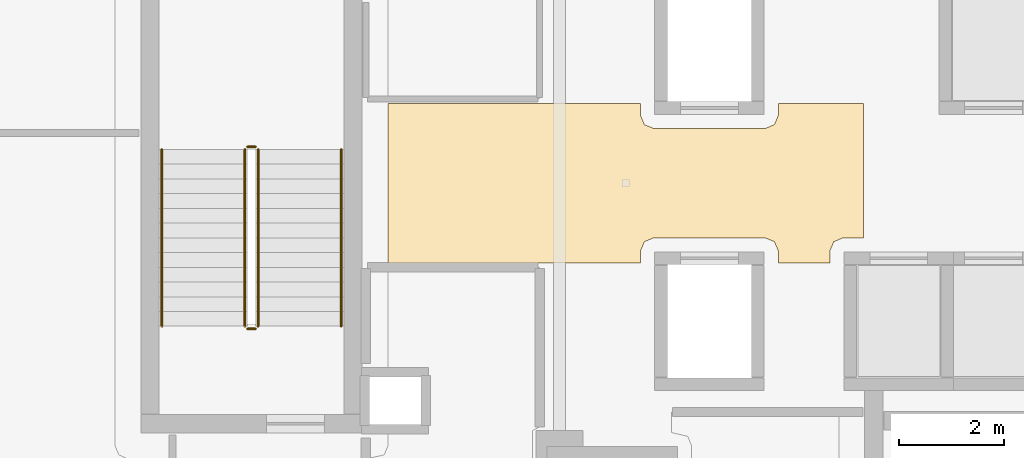
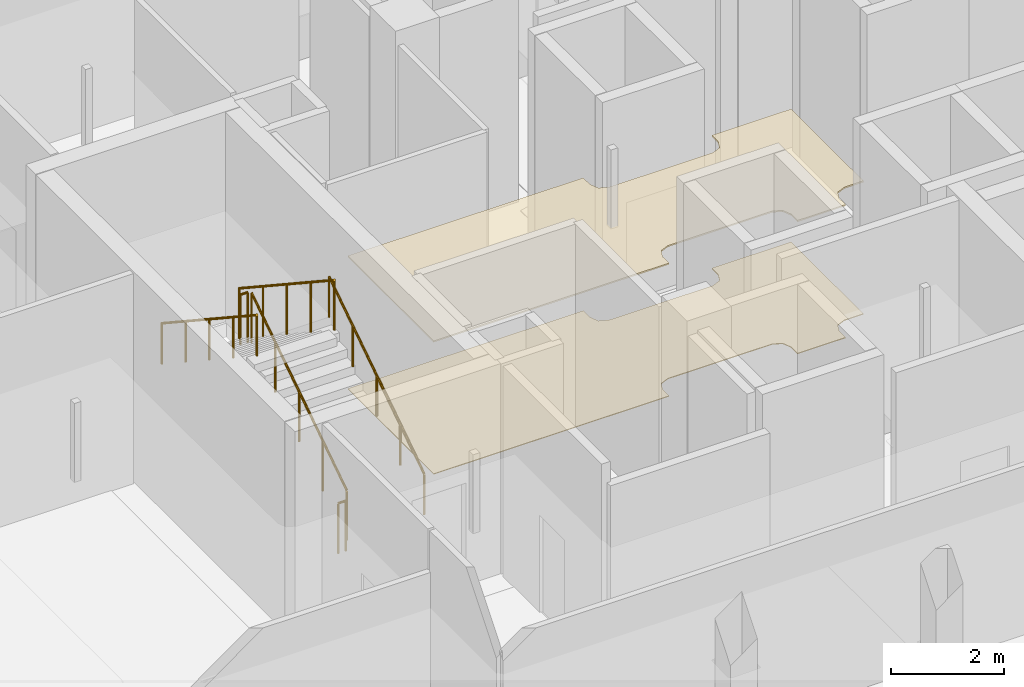
# One storey, part 30 of 36: 6 railings, 2 coverings.
"""IFC4 building model written with IfcOpenShell, lengths in metres."""

from ifc_helpers import new_model, si_unit, direction, frame, origin, origin_2d, place, context, subcontext, project, spatial, polyline, circle, outline, extrude, material, layer, layer_set, type_object, element, save


model = new_model("IFC4")

# Units and contexts
model_context = context("Model", 3, precision=1e-05, world=origin(), true_north=direction((0.0, 1.0)))
body_context = subcontext(model_context, "Body", "Model", "MODEL_VIEW")
ifc_project = project(units=[si_unit("LENGTHUNIT", "METRE"), si_unit("AREAUNIT", "SQUARE_METRE"), si_unit("VOLUMEUNIT", "CUBIC_METRE"), si_unit("PLANEANGLEUNIT", "RADIAN"), si_unit("MASSUNIT", "GRAM", prefix="KILO")], contexts=[model_context])

# Site, building, storey
site_placement = place(None, origin())
site = spatial("IfcSite", under=ifc_project, at=site_placement, CompositionType="ELEMENT")
building_placement = place(site_placement, origin())
building = spatial("IfcBuilding", under=site, at=building_placement, Name="Qorvath Tower", CompositionType="ELEMENT")
storey_placement = place(building_placement, frame((0.0, 0.0, 180.0)))
storey = spatial("IfcBuildingStorey", under=building, at=storey_placement, Name="L41", CompositionType="ELEMENT", Elevation=180.0)

# Coverings
ifc_material_1 = material(Name="Acoustic mineral fibre ceiling tile", Category="gypsum")
ifc_layer_1 = layer(ifc_material_1, 0.030029296875)
ifc_layer_set_1 = layer_set([ifc_layer_1], Name="COV-CEIL")
covering_type_1 = type_object("IfcCoveringType", Name="COV-CEIL", PredefinedType="CEILING", material=ifc_layer_set_1)
covering_1_placement = place(storey_placement, frame((0.0, 0.0, 2.85009765625)))
element("IfcCovering", 1, at=covering_1_placement, inside=storey, type_object=covering_type_1, Name="L41 Suspended Acoustic Ceiling 008", PredefinedType="CEILING", context=body_context, shape_type="SweptSolid", body=[
    extrude(outline(polyline([(-24.72216796875, -1.0400390625), (-24.72216796875, 1.514892578125), (-26.340087890625, 1.514892578125), (-26.340087890625, 1.2900390625), (-26.413330078125, 1.11328125), (-26.590087890625, 1.0400390625), (-28.7099609375, 1.0400390625), (-28.88671875, 1.11328125), (-28.9599609375, 1.2900390625), (-28.9599609375, 1.514892578125), (-33.760009765625, 1.514892578125), (-33.760009765625, -1.514892578125), (-28.9599609375, -1.514892578125), (-28.9599609375, -1.2900390625), (-28.88671875, -1.11328125), (-28.7099609375, -1.0400390625), (-26.590087890625, -1.0400390625), (-26.413330078125, -1.11328125), (-26.340087890625, -1.2900390625), (-26.340087890625, -1.514892578125), (-25.360107421875, -1.514892578125), (-25.360107421875, -1.2900390625), (-25.286865234375, -1.11328125), (-25.110107421875, -1.0400390625), (-24.72216796875, -1.0400390625)])), origin(), (0.0, 0.0, 1.0), 0.030029296875),
])
ifc_material_2 = material(Name="Polished epoxy terrazzo flooring", Category="concrete")
ifc_layer_2 = layer(ifc_material_2, 0.02001953125)
ifc_layer_set_2 = layer_set([ifc_layer_2], Name="COV-FLOOR-TRZ")
covering_type_2 = type_object("IfcCoveringType", Name="COV-FLOOR-TRZ", PredefinedType="FLOORING", material=ifc_layer_set_2)
covering_2_placement = place(storey_placement, origin())
element("IfcCovering", 2, at=covering_2_placement, inside=storey, type_object=covering_type_2, Name="L41 Floor Finish 008", PredefinedType="FLOORING", context=body_context, shape_type="SweptSolid", body=[
    extrude(outline(polyline([(-24.72216796875, -1.0400390625), (-24.72216796875, 1.514892578125), (-26.340087890625, 1.514892578125), (-26.340087890625, 1.2900390625), (-26.413330078125, 1.11328125), (-26.590087890625, 1.0400390625), (-28.7099609375, 1.0400390625), (-28.88671875, 1.11328125), (-28.9599609375, 1.2900390625), (-28.9599609375, 1.514892578125), (-33.760009765625, 1.514892578125), (-33.760009765625, -1.514892578125), (-28.9599609375, -1.514892578125), (-28.9599609375, -1.2900390625), (-28.88671875, -1.11328125), (-28.7099609375, -1.0400390625), (-26.590087890625, -1.0400390625), (-26.413330078125, -1.11328125), (-26.340087890625, -1.2900390625), (-26.340087890625, -1.514892578125), (-25.360107421875, -1.514892578125), (-25.360107421875, -1.2900390625), (-25.286865234375, -1.11328125), (-25.110107421875, -1.0400390625), (-24.72216796875, -1.0400390625)])), origin(), (0.0, 0.0, 1.0), 0.014892578125),
])

# Railings
ifc_material_3 = material(Name="Painted galvanised steel", Category="steel")
railing_type_1 = type_object("IfcRailingType", Name="RL-STR-GRD", PredefinedType="GUARDRAIL", material=ifc_material_3)
railing_1_placement = place(storey_placement, frame((-36.22998046875, -2.719970703125, 0.1845703125)))
element("IfcRailing", 3, at=railing_1_placement, inside=storey, type_object=railing_type_1, Name="L41 TS3 stair guard 1", PredefinedType="GUARDRAIL", context=body_context, shape_type="SweptSolid", body=[
    extrude(circle(Radius=0.02392578125, at=origin_2d()), frame((0.0, 0.0, 1.076171875), z_axis=(0.0, 0.834858096282, 0.550465220583), x_axis=(-1.0, 0.0, 0.0)), (0.0, 0.0, 1.0), 4.0244140625),
    extrude(circle(Radius=0.02099609375, at=origin_2d()), origin(), (0.0, 0.0, 1.0), 1.052001953125),
    extrude(circle(Radius=0.02099609375, at=origin_2d()), frame((0.0, 0.83984375, 0.5537109375)), (0.0, 0.0, 1.0), 1.052001953125),
    extrude(circle(Radius=0.02099609375, at=origin_2d()), frame((0.0, 1.679931640625, 1.107666015625)), (0.0, 0.0, 1.0), 1.052001953125),
    extrude(circle(Radius=0.02099609375, at=origin_2d()), frame((0.0, 2.52001953125, 1.66162109375)), (0.0, 0.0, 1.0), 1.052001953125),
    extrude(circle(Radius=0.02099609375, at=origin_2d()), frame((0.0, 3.35986328125, 2.21533203125)), (0.0, 0.0, 1.0), 1.052001953125),
])
railing_2_placement = place(storey_placement, frame((-36.280029296875, 0.68994140625, 2.39990234375)))
element("IfcRailing", 4, at=railing_2_placement, inside=storey, type_object=railing_type_1, Name="L41 TS3 stair guard 2", PredefinedType="GUARDRAIL", context=body_context, shape_type="SweptSolid", body=[
    extrude(circle(Radius=0.02392578125, at=origin_2d()), frame((0.0, 0.0, 1.076171875), z_axis=(-1.0, 0.0, 0.0), x_axis=(0.0, -1.0, 0.0)), (0.0, 0.0, 1.0), 0.14990234375),
    extrude(circle(Radius=0.02099609375, at=origin_2d()), origin(), (0.0, 0.0, 1.0), 1.052001953125),
    extrude(circle(Radius=0.02099609375, at=origin_2d()), frame((-0.14990234375, 0.0, 0.0)), (0.0, 0.0, 1.0), 1.052001953125),
])
railing_3_placement = place(storey_placement, frame((-36.47998046875, 0.639892578125, 2.584716796875)))
element("IfcRailing", 5, at=railing_3_placement, inside=storey, type_object=railing_type_1, Name="L41 TS3 stair guard 3", PredefinedType="GUARDRAIL", context=body_context, shape_type="SweptSolid", body=[
    extrude(circle(Radius=0.02392578125, at=origin_2d()), frame((0.0, 0.0, 1.076171875), z_axis=(0.0, -0.834858096282, 0.550465220583), x_axis=(1.0, 0.0, 0.0)), (0.0, 0.0, 1.0), 4.0244140625),
    extrude(circle(Radius=0.02099609375, at=origin_2d()), origin(), (0.0, 0.0, 1.0), 1.052001953125),
    extrude(circle(Radius=0.02099609375, at=origin_2d()), frame((0.0, -0.83984375, 0.5537109375)), (0.0, 0.0, 1.0), 1.052001953125),
    extrude(circle(Radius=0.02099609375, at=origin_2d()), frame((0.0, -1.679931640625, 1.107666015625)), (0.0, 0.0, 1.0), 1.052001953125),
    extrude(circle(Radius=0.02099609375, at=origin_2d()), frame((0.0, -2.52001953125, 1.66162109375)), (0.0, 0.0, 1.0), 1.052001953125),
    extrude(circle(Radius=0.02099609375, at=origin_2d()), frame((0.0, -3.35986328125, 2.21533203125)), (0.0, 0.0, 1.0), 1.052001953125),
])
railing_4_placement = place(storey_placement, frame((-36.280029296875, -2.77001953125, 0.0)))
element("IfcRailing", 6, at=railing_4_placement, inside=storey, type_object=railing_type_1, Name="L41 TS3 stair guard 4", PredefinedType="GUARDRAIL", context=body_context, shape_type="SweptSolid", body=[
    extrude(circle(Radius=0.02392578125, at=origin_2d()), frame((0.0, 0.0, 1.076171875), z_axis=(-1.0, 0.0, 0.0), x_axis=(0.0, -1.0, 0.0)), (0.0, 0.0, 1.0), 0.14990234375),
    extrude(circle(Radius=0.02099609375, at=origin_2d()), origin(), (0.0, 0.0, 1.0), 1.052001953125),
    extrude(circle(Radius=0.02099609375, at=origin_2d()), frame((-0.14990234375, 0.0, 0.0)), (0.0, 0.0, 1.0), 1.052001953125),
])
ifc_material_4 = material(Name="Brushed stainless steel AISI 304", Category="steel")
railing_type_2 = type_object("IfcRailingType", Name="RL-STR-HND", PredefinedType="HANDRAIL", material=ifc_material_4)
railing_5_placement = place(storey_placement, frame((-34.64990234375, -2.719970703125, 0.1845703125)))
element("IfcRailing", 7, at=railing_5_placement, inside=storey, type_object=railing_type_2, Name="L41 TS3 stair handrail 1", PredefinedType="HANDRAIL", context=body_context, shape_type="SweptSolid", body=[
    extrude(circle(Radius=0.02392578125, at=origin_2d()), frame((0.0, 0.0, 0.8759765625), z_axis=(0.0, 0.834858096282, 0.550465220583), x_axis=(-1.0, 0.0, 0.0)), (0.0, 0.0, 1.0), 4.0244140625),
    extrude(circle(Radius=0.02099609375, at=origin_2d()), origin(), (0.0, 0.0, 1.0), 0.851806640625),
    extrude(circle(Radius=0.02099609375, at=origin_2d()), frame((0.0, 0.83984375, 0.5537109375)), (0.0, 0.0, 1.0), 0.851806640625),
    extrude(circle(Radius=0.02099609375, at=origin_2d()), frame((0.0, 1.679931640625, 1.107666015625)), (0.0, 0.0, 1.0), 0.851806640625),
    extrude(circle(Radius=0.02099609375, at=origin_2d()), frame((0.0, 2.52001953125, 1.66162109375)), (0.0, 0.0, 1.0), 0.851806640625),
    extrude(circle(Radius=0.02099609375, at=origin_2d()), frame((0.0, 3.35986328125, 2.21533203125)), (0.0, 0.0, 1.0), 0.851806640625),
])
railing_6_placement = place(storey_placement, frame((-38.06005859375, 0.639892578125, 2.584716796875)))
element("IfcRailing", 8, at=railing_6_placement, inside=storey, type_object=railing_type_2, Name="L41 TS3 stair handrail 2", PredefinedType="HANDRAIL", context=body_context, shape_type="SweptSolid", body=[
    extrude(circle(Radius=0.02392578125, at=origin_2d()), frame((0.0, 0.0, 0.8759765625), z_axis=(0.0, -0.834858096282, 0.550465220583), x_axis=(1.0, 0.0, 0.0)), (0.0, 0.0, 1.0), 4.0244140625),
    extrude(circle(Radius=0.02099609375, at=origin_2d()), origin(), (0.0, 0.0, 1.0), 0.851806640625),
    extrude(circle(Radius=0.02099609375, at=origin_2d()), frame((0.0, -0.83984375, 0.5537109375)), (0.0, 0.0, 1.0), 0.851806640625),
    extrude(circle(Radius=0.02099609375, at=origin_2d()), frame((0.0, -1.679931640625, 1.107666015625)), (0.0, 0.0, 1.0), 0.851806640625),
    extrude(circle(Radius=0.02099609375, at=origin_2d()), frame((0.0, -2.52001953125, 1.66162109375)), (0.0, 0.0, 1.0), 0.851806640625),
    extrude(circle(Radius=0.02099609375, at=origin_2d()), frame((0.0, -3.35986328125, 2.21533203125)), (0.0, 0.0, 1.0), 0.851806640625),
])

save(model, "model.ifc")
